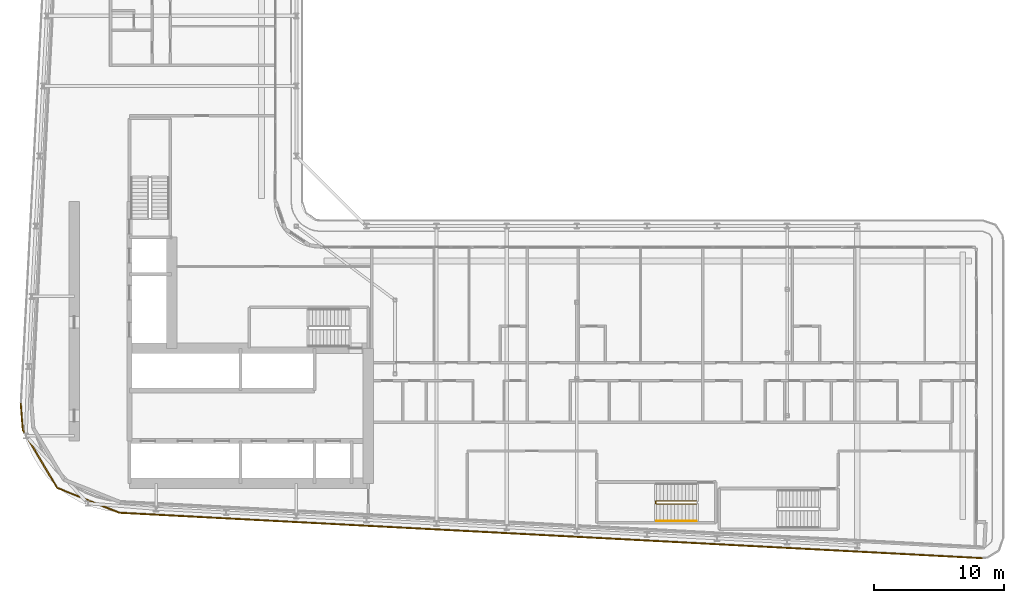
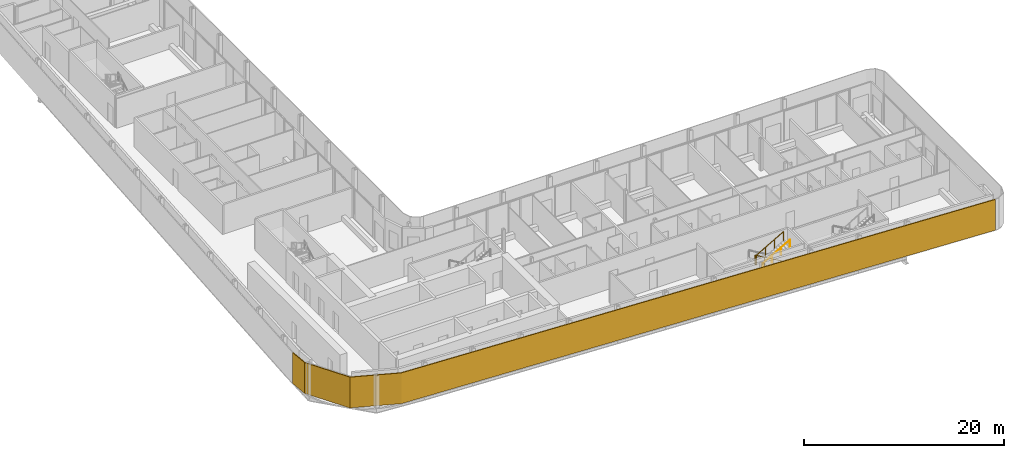
# One storey, part 24 of 28: 2 railings, 1 shading device.
"""IFC4 building model written with IfcOpenShell, lengths in metres."""

from ifc_helpers import new_model, si_unit, direction, frame, origin, origin_2d, place, context, subcontext, project, spatial, polyline, circle, outline, extrude, material, layer, layer_set, type_object, element, save


model = new_model("IFC4")

# Units and contexts
model_context = context("Model", 3, precision=1e-05, world=origin(), true_north=direction((0.0, 1.0)))
body_context = subcontext(model_context, "Body", "Model", "MODEL_VIEW")
ifc_project = project(units=[si_unit("LENGTHUNIT", "METRE"), si_unit("AREAUNIT", "SQUARE_METRE"), si_unit("VOLUMEUNIT", "CUBIC_METRE"), si_unit("PLANEANGLEUNIT", "RADIAN"), si_unit("MASSUNIT", "GRAM", prefix="KILO")], contexts=[model_context])

# Site, building, storey
site_placement = place(None, origin())
site = spatial("IfcSite", under=ifc_project, at=site_placement, CompositionType="ELEMENT")
building_placement = place(site_placement, origin())
building = spatial("IfcBuilding", under=site, at=building_placement, Name="Kheshtan School and Residences Tower", CompositionType="ELEMENT")
storey_placement = place(building_placement, frame((0.0, 0.0, 187.699951171875)))
storey = spatial("IfcBuildingStorey", under=building, at=storey_placement, Name="L44", CompositionType="ELEMENT", Elevation=187.699951171875)

# Shading device
ifc_material_1 = material(Name="Terracotta baguette, extruded ceramic", Category="masonry")
ifc_layer = layer(ifc_material_1, 0.10009765625)
ifc_layer_set = layer_set([ifc_layer], Name="Ledge screen, terracotta baguettes")
shading_device_type = type_object("IfcShadingDeviceType", Name="Ledge screen, terracotta baguettes", PredefinedType="USERDEFINED", material=ifc_layer_set)
shading_device_placement = place(storey_placement, origin())
element("IfcShadingDevice", 1, at=shading_device_placement, inside=storey, type_object=shading_device_type, Name="Screen L44 3", ObjectType="BAGUETTE", PredefinedType="USERDEFINED", context=body_context, shape_type="SweptSolid", body=[
    extrude(outline(polyline([(100.4208984375, 20.0830078125), (33.989013671875, 23.580078125), (29.2119140625, 25.486083984375), (26.583984375, 29.906982421875), (26.419921875, 31.989013671875), (26.320068359375, 31.98095703125), (26.486083984375, 29.8759765625), (29.14306640625, 25.406005859375), (33.967041015625, 23.48095703125), (100.416015625, 19.98291015625), (100.4208984375, 20.0830078125)])), origin(), (0.0, 0.0, 1.0), 3.75),
])

# Railings
ifc_material_2 = material(Name="Stainless steel balustrade", Category="steel")
railing_type_1 = type_object("IfcRailingType", Name="Stair guard 1100", PredefinedType="GUARDRAIL", material=ifc_material_2)
railing_1_placement = place(storey_placement, frame((78.409912109375, 24.449951171875, 0.16259765625)))
element("IfcRailing", 2, at=railing_1_placement, inside=storey, type_object=railing_type_1, Name="L44 ST5 stair guard 1", PredefinedType="GUARDRAIL", context=body_context, shape_type="SweptSolid", body=[
    extrude(circle(Radius=0.02392578125, at=origin_2d()), frame((0.0, 0.0, 1.076171875), z_axis=(-0.864903211148, 0.0, 0.501938676878), x_axis=(0.0, -1.0, 0.0)), (0.0, 0.0, 1.0), 3.560791015625),
    extrude(circle(Radius=0.02392578125, at=origin_2d()), frame((-3.079833984375, 0.0, 2.86328125), z_axis=(-0.707106781187, -0.707106781187, 0.0), x_axis=(0.707106781187, -0.707106781187, 0.0)), (0.0, 0.0, 1.0), 0.07080078125),
    extrude(circle(Radius=0.02392578125, at=origin_2d()), frame((-3.1298828125, -0.050048828125, 2.86328125), z_axis=(0.0, -1.0, 0.0), x_axis=(1.0, 0.0, 0.0)), (0.0, 0.0, 1.0), 0.14990234375),
    extrude(circle(Radius=0.02392578125, at=origin_2d()), frame((-3.1298828125, -0.199951171875, 2.86328125), z_axis=(0.282227285176, -0.282227285176, 0.916894497205), x_axis=(0.707106781187, 0.707106781187, 0.0)), (0.0, 0.0, 1.0), 0.17724609375),
    extrude(circle(Radius=0.02392578125, at=origin_2d()), frame((-3.079833984375, -0.25, 3.02587890625), z_axis=(0.864873446163, 0.0, 0.501989962173), x_axis=(0.0, 1.0, 0.0)), (0.0, 0.0, 1.0), 3.56103515625),
    extrude(circle(Radius=0.02099609375, at=origin_2d()), origin(), (0.0, 0.0, 1.0), 1.052001953125),
    extrude(circle(Radius=0.02099609375, at=origin_2d()), frame((-1.026611328125, 0.0, 0.595703125)), (0.0, 0.0, 1.0), 1.052001953125),
    extrude(circle(Radius=0.02099609375, at=origin_2d()), frame((-2.05322265625, 0.0, 1.191650390625)), (0.0, 0.0, 1.0), 1.052001953125),
    extrude(circle(Radius=0.02099609375, at=origin_2d()), frame((-3.079833984375, 0.0, 1.787353515625)), (0.0, 0.0, 1.0), 1.052001953125),
    extrude(circle(Radius=0.02099609375, at=origin_2d()), frame((-3.1298828125, -0.050048828125, 1.787353515625)), (0.0, 0.0, 1.0), 1.052001953125),
    extrude(circle(Radius=0.02099609375, at=origin_2d()), frame((-3.1298828125, -0.199951171875, 1.787353515625)), (0.0, 0.0, 1.0), 1.052001953125),
    extrude(circle(Radius=0.02099609375, at=origin_2d()), frame((-3.079833984375, -0.25, 1.949951171875)), (0.0, 0.0, 1.0), 1.052001953125),
    extrude(circle(Radius=0.02099609375, at=origin_2d()), frame((-2.05322265625, -0.25, 2.5458984375)), (0.0, 0.0, 1.0), 1.052001953125),
    extrude(circle(Radius=0.02099609375, at=origin_2d()), frame((-1.026611328125, -0.25, 3.1416015625)), (0.0, 0.0, 1.0), 1.052001953125),
    extrude(circle(Radius=0.02099609375, at=origin_2d()), frame((0.0, -0.25, 3.737548828125)), (0.0, 0.0, 1.0), 1.052001953125),
])
ifc_material_3 = material(Name="Stainless steel handrail", Category="steel")
railing_type_2 = type_object("IfcRailingType", Name="Stair handrail 900", PredefinedType="HANDRAIL", material=ifc_material_3)
railing_2_placement = place(storey_placement, frame((75.330078125, 22.89990234375, 2.112548828125)))
element("IfcRailing", 3, at=railing_2_placement, inside=storey, type_object=railing_type_2, Name="L44 ST5 stair handrail 2", PredefinedType="HANDRAIL", context=body_context, shape_type="SweptSolid", body=[
    extrude(circle(Radius=0.02392578125, at=origin_2d()), frame((0.0, 0.0, 0.8759765625), z_axis=(0.864873446163, 0.0, 0.501989962173), x_axis=(0.0, 1.0, 0.0)), (0.0, 0.0, 1.0), 3.56103515625),
    extrude(circle(Radius=0.02099609375, at=origin_2d()), origin(), (0.0, 0.0, 1.0), 0.851806640625),
    extrude(circle(Radius=0.02099609375, at=origin_2d()), frame((1.026611328125, 0.0, 0.595947265625)), (0.0, 0.0, 1.0), 0.851806640625),
    extrude(circle(Radius=0.02099609375, at=origin_2d()), frame((2.05322265625, 0.0, 1.191650390625)), (0.0, 0.0, 1.0), 0.851806640625),
    extrude(circle(Radius=0.02099609375, at=origin_2d()), frame((3.079833984375, 0.0, 1.78759765625)), (0.0, 0.0, 1.0), 0.851806640625),
])

save(model, "model.ifc")
